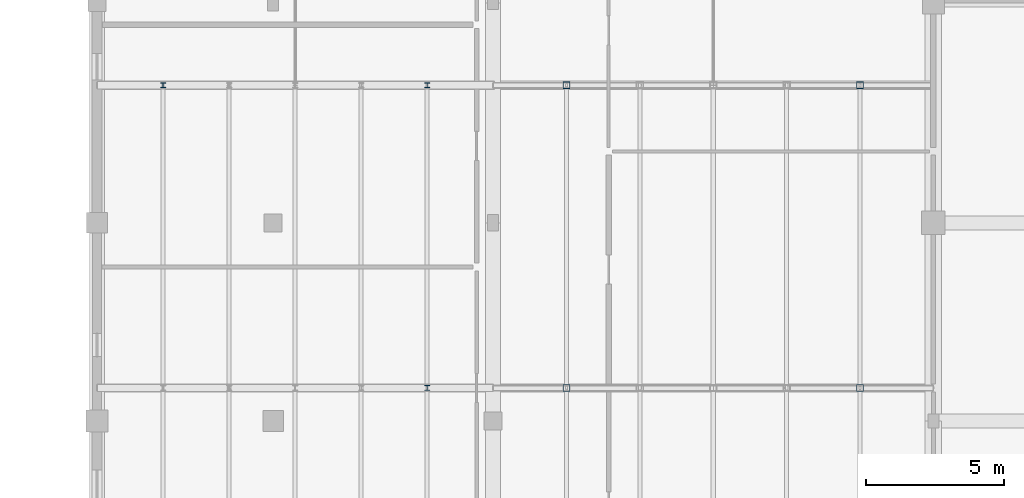
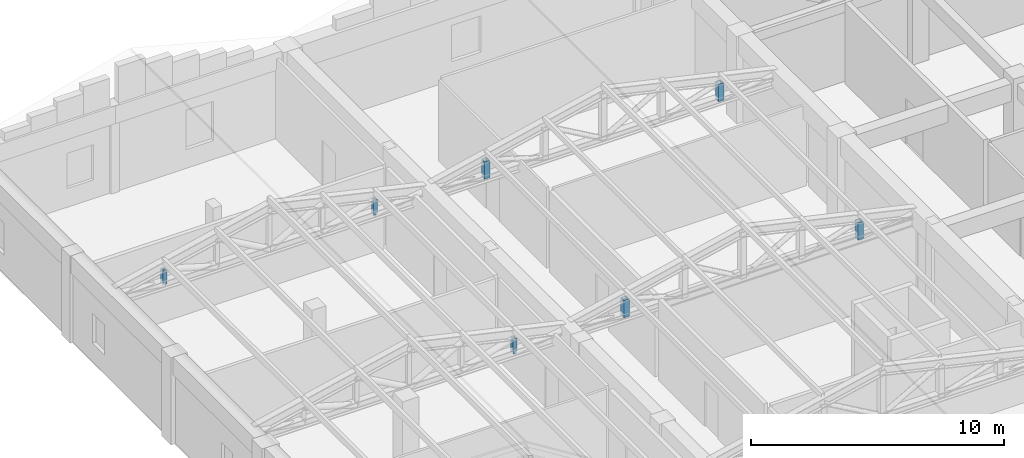
# One storey, part 19 of 35: 7 members.
"""IFC4 building model written with IfcOpenShell, lengths in metres."""

from ifc_helpers import new_model, si_unit, direction, frame, origin, origin_2d, place, context, subcontext, project, spatial, hollow_rectangle, i_section, extrude, material, material_profile, profile_set, type_object, element, save


model = new_model("IFC4")

# Units and contexts
model_context = context("Model", 3, precision=1e-05, world=origin(), true_north=direction((0.0, 1.0)))
body_context = subcontext(model_context, "Body", "Model", "MODEL_VIEW")
ifc_project = project(units=[si_unit("LENGTHUNIT", "METRE"), si_unit("AREAUNIT", "SQUARE_METRE"), si_unit("VOLUMEUNIT", "CUBIC_METRE"), si_unit("PLANEANGLEUNIT", "RADIAN"), si_unit("MASSUNIT", "GRAM", prefix="KILO")], contexts=[model_context])

# Site, building, storey
site_placement = place(None, origin())
site = spatial("IfcSite", under=ifc_project, at=site_placement, CompositionType="ELEMENT")
building_placement = place(site_placement, origin())
building = spatial("IfcBuilding", under=site, at=building_placement, Name="Vellmiral Cinema and Media Centre", CompositionType="ELEMENT")
storey_placement = place(building_placement, frame((0.0, 0.0, 15.60009765625)))
storey = spatial("IfcBuildingStorey", under=building, at=storey_placement, Name="L03", CompositionType="ELEMENT", Elevation=15.60009765625)

# Members
ifc_material_1 = material(Name="Steel S355", Category="steel")
ifc_material_profile_1 = material_profile(ifc_material_1, i_section(OverallWidth=0.179931640625, OverallDepth=0.179931640625, WebThickness=0.008544921875, FlangeThickness=0.013916015625, FilletRadius=0.014892578125, at=origin_2d()), Name="HEB 180")
ifc_profile_set_1 = profile_set([ifc_material_profile_1], Name="Steel S355")
member_type_1 = type_object("IfcMemberType", Name="TBR-HEB180", PredefinedType="BRACE", material=ifc_profile_set_1)
for number, where, z_axis, x_axis, name in (
    (1, (60.0, 73.199951171875, 3.5498046875), (0.0, 0.0, 1.0), (1.0, 0.0, 0.0), "Roof Truss TR-08.2 Post 5"),
    (2, (50.39990234375, 84.199951171875, 3.5498046875), (0.0, 0.0, 1.0), (1.0, 0.0, 0.0), "Roof Truss TR-08.3 Post 1"),
    (3, (60.0, 84.199951171875, 3.5498046875), (0.0, 0.0, 1.0), (1.0, 0.0, 0.0), "Roof Truss TR-08.3 Post 5"),
):
    element("IfcMember", number, at=place(storey_placement, frame(where, z_axis=z_axis, x_axis=x_axis)), inside=storey, type_object=member_type_1, Name=name, PredefinedType="BRACE", context=body_context, shape_type="SweptSolid", body=[
        extrude(i_section(OverallWidth=0.179931640625, OverallDepth=0.179931640625, WebThickness=0.008544921875, FlangeThickness=0.013916015625, FilletRadius=0.014892578125, at=origin_2d()), origin(), (0.0, 0.0, 1.0), 0.71826171875),
    ])
ifc_material_2 = material(Name="Steel S355", Category="steel")
ifc_material_profile_2 = material_profile(ifc_material_2, hollow_rectangle(XDim=0.25, YDim=0.25, WallThickness=0.012451171875, at=origin_2d()), Name="SHS 250x250x12.5")
ifc_profile_set_2 = profile_set([ifc_material_profile_2], Name="Steel S355")
member_type_2 = type_object("IfcMemberType", Name="TBR-SHS250", PredefinedType="BRACE", material=ifc_profile_set_2)
for number, where, z_axis, x_axis, name in (
    (4, (65.066650390625, 73.199951171875, 3.5498046875), (0.0, 0.0, 1.0), (1.0, 0.0, 0.0), "Roof Truss TR-08B.2 Post 1"),
    (5, (75.7333984375, 73.199951171875, 3.5498046875), (0.0, 0.0, 1.0), (1.0, 0.0, 0.0), "Roof Truss TR-08B.2 Post 5"),
    (6, (65.066650390625, 84.199951171875, 3.5498046875), (0.0, 0.0, 1.0), (1.0, 0.0, 0.0), "Roof Truss TR-08B.3 Post 1"),
    (7, (75.7333984375, 84.199951171875, 3.5498046875), (0.0, 0.0, 1.0), (1.0, 0.0, 0.0), "Roof Truss TR-08B.3 Post 5"),
):
    element("IfcMember", number, at=place(storey_placement, frame(where, z_axis=z_axis, x_axis=x_axis)), inside=storey, type_object=member_type_2, Name=name, PredefinedType="BRACE", context=body_context, shape_type="SweptSolid", body=[
        extrude(hollow_rectangle(XDim=0.25, YDim=0.25, WallThickness=0.012451171875, at=origin_2d()), origin(), (0.0, 0.0, 1.0), 0.839599609375),
    ])

save(model, "model.ifc")
